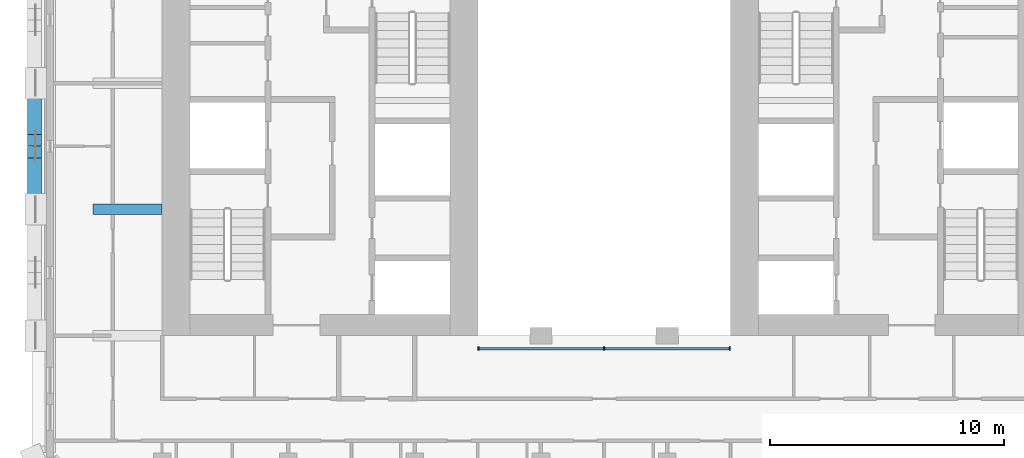
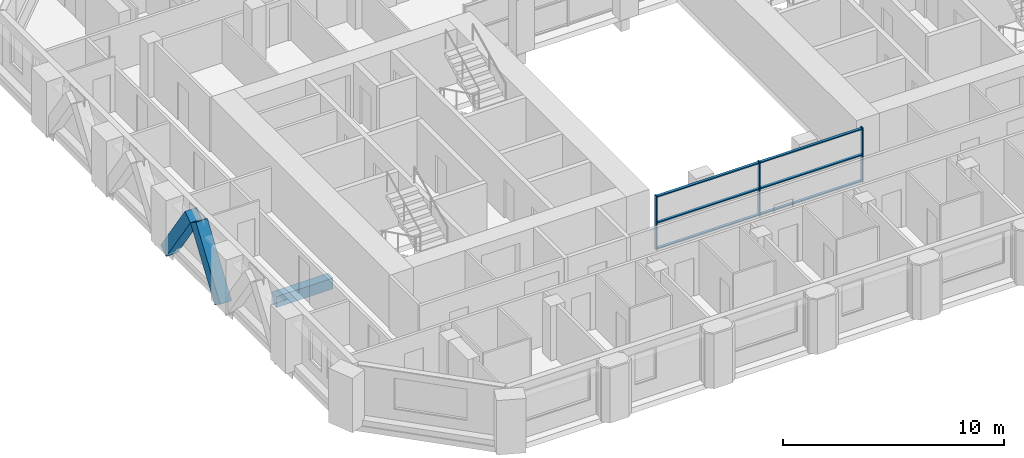
# One storey, part 2 of 15: 11 members, 1 beam, 1 element without a shape of its own.
"""IFC4 building model written with IfcOpenShell, lengths in metres."""

from ifc_helpers import new_model, si_unit, direction, frame, origin, origin_2d, place, context, subcontext, project, spatial, rectangle, extrude, material, material_profile, profile_set, type_object, element, aggregate, save


model = new_model("IFC4")

# Units and contexts
model_context = context("Model", 3, precision=1e-05, world=origin(), true_north=direction((0.0, 1.0)))
body_context = subcontext(model_context, "Body", "Model", "MODEL_VIEW")
ifc_project = project(units=[si_unit("LENGTHUNIT", "METRE"), si_unit("AREAUNIT", "SQUARE_METRE"), si_unit("VOLUMEUNIT", "CUBIC_METRE"), si_unit("PLANEANGLEUNIT", "RADIAN"), si_unit("MASSUNIT", "GRAM", prefix="KILO")], contexts=[model_context])

# Site, building, storey
site_placement = place(None, origin())
site = spatial("IfcSite", under=ifc_project, at=site_placement, CompositionType="ELEMENT")
building_placement = place(site_placement, origin())
building = spatial("IfcBuilding", under=site, at=building_placement, Name="Tabaq Tower and Sports Hall", CompositionType="ELEMENT")
storey_placement = place(building_placement, frame((0.0, 0.0, 207.10009765625)))
storey = spatial("IfcBuildingStorey", under=building, at=storey_placement, Name="L51", CompositionType="ELEMENT", Elevation=207.10009765625)

# Curtain wall, members
ifc_material_1 = material(Name="Aluminium alloy 6063-T6 framed glazing", Category="aluminium")
curtain_wall_type = type_object("IfcCurtainWallType", Name="CW1 curtain wall", PredefinedType="USERDEFINED", material=ifc_material_1)
curtain_wall_placement = place(storey_placement, origin())
curtain_wall = element("IfcCurtainWall", 1, at=curtain_wall_placement, inside=storey, type_object=curtain_wall_type, Name="Atrium glazing L51 S", ObjectType="ATRIUM ENCLOSURE", PredefinedType="USERDEFINED")
ifc_material_2 = material(Name="Aluminium alloy 6063-T6", Category="aluminium")
ifc_material_profile_1 = material_profile(ifc_material_2, rectangle(XDim=0.159912109375, YDim=0.06005859375, at=origin_2d()), Name="MULLION 160x60")
ifc_profile_set_1 = profile_set([ifc_material_profile_1], Name="Aluminium alloy 6063-T6")
member_type_1 = type_object("IfcMemberType", Name="CW1 mullion 160x60", PredefinedType="MULLION", material=ifc_profile_set_1)
member_1_placement = place(storey_placement, frame((18.929931640625, 15.64990234375, 0.0), z_axis=(0.0, 0.0, 1.0), x_axis=(0.0, 1.0, 0.0)))
member_1 = element("IfcMember", 2, at=member_1_placement, type_object=member_type_1, Name="CW1 mullion 1", PredefinedType="MULLION", context=body_context, shape_type="SweptSolid", body=[
    extrude(rectangle(XDim=0.159912109375, YDim=0.06005859375, at=origin_2d()), origin(), (0.0, 0.0, 1.0), 3.0),
])
member_2_placement = place(storey_placement, frame((24.300048828125, 15.64990234375, 0.0), z_axis=(0.0, 0.0, 1.0), x_axis=(0.0, 1.0, 0.0)))
member_2 = element("IfcMember", 3, at=member_2_placement, type_object=member_type_1, Name="CW1 mullion 2", PredefinedType="MULLION", context=body_context, shape_type="SweptSolid", body=[
    extrude(rectangle(XDim=0.159912109375, YDim=0.06005859375, at=origin_2d()), origin(), (0.0, 0.0, 1.0), 3.0),
])
member_3_placement = place(storey_placement, frame((29.669921875, 15.64990234375, 0.0), z_axis=(0.0, 0.0, 1.0), x_axis=(0.0, 1.0, 0.0)))
member_3 = element("IfcMember", 4, at=member_3_placement, type_object=member_type_1, Name="CW1 mullion 3", PredefinedType="MULLION", context=body_context, shape_type="SweptSolid", body=[
    extrude(rectangle(XDim=0.159912109375, YDim=0.06005859375, at=origin_2d()), origin(), (0.0, 0.0, 1.0), 3.0),
])
ifc_material_3 = material(Name="Aluminium alloy 6063-T6", Category="aluminium")
ifc_material_profile_2 = material_profile(ifc_material_3, rectangle(XDim=0.139892578125, YDim=0.06005859375, at=origin_2d()), Name="TRANSOM 140x60")
ifc_profile_set_2 = profile_set([ifc_material_profile_2], Name="Aluminium alloy 6063-T6")
member_type_2 = type_object("IfcMemberType", Name="CW1 transom 140x60", PredefinedType="USERDEFINED", material=ifc_profile_set_2)
member_4_placement = place(storey_placement, frame((18.9599609375, 15.64990234375, 0.06982421875), z_axis=(1.0, 0.0, 0.0), x_axis=(0.0, 1.0, 0.0)))
member_4 = element("IfcMember", 5, at=member_4_placement, type_object=member_type_2, Name="CW1 transom 1.1", ObjectType="TRANSOM", PredefinedType="USERDEFINED", context=body_context, shape_type="SweptSolid", body=[
    extrude(rectangle(XDim=0.139892578125, YDim=0.06005859375, at=origin_2d()), origin(), (0.0, 0.0, 1.0), 5.31005859375),
])
member_5_placement = place(storey_placement, frame((18.9599609375, 15.64990234375, 1.5), z_axis=(1.0, 0.0, 0.0), x_axis=(0.0, 1.0, 0.0)))
member_5 = element("IfcMember", 6, at=member_5_placement, type_object=member_type_2, Name="CW1 transom 1.2", ObjectType="TRANSOM", PredefinedType="USERDEFINED", context=body_context, shape_type="SweptSolid", body=[
    extrude(rectangle(XDim=0.139892578125, YDim=0.06005859375, at=origin_2d()), origin(), (0.0, 0.0, 1.0), 5.31005859375),
])
member_6_placement = place(storey_placement, frame((18.9599609375, 15.64990234375, 2.929931640625), z_axis=(1.0, 0.0, 0.0), x_axis=(0.0, 1.0, 0.0)))
member_6 = element("IfcMember", 7, at=member_6_placement, type_object=member_type_2, Name="CW1 transom 1.3", ObjectType="TRANSOM", PredefinedType="USERDEFINED", context=body_context, shape_type="SweptSolid", body=[
    extrude(rectangle(XDim=0.139892578125, YDim=0.06005859375, at=origin_2d()), origin(), (0.0, 0.0, 1.0), 5.31005859375),
])
member_7_placement = place(storey_placement, frame((24.330078125, 15.64990234375, 0.06982421875), z_axis=(1.0, 0.0, 0.0), x_axis=(0.0, 1.0, 0.0)))
member_7 = element("IfcMember", 8, at=member_7_placement, type_object=member_type_2, Name="CW1 transom 2.1", ObjectType="TRANSOM", PredefinedType="USERDEFINED", context=body_context, shape_type="SweptSolid", body=[
    extrude(rectangle(XDim=0.139892578125, YDim=0.06005859375, at=origin_2d()), origin(), (0.0, 0.0, 1.0), 5.309814453125),
])
member_8_placement = place(storey_placement, frame((24.330078125, 15.64990234375, 1.5), z_axis=(1.0, 0.0, 0.0), x_axis=(0.0, 1.0, 0.0)))
member_8 = element("IfcMember", 9, at=member_8_placement, type_object=member_type_2, Name="CW1 transom 2.2", ObjectType="TRANSOM", PredefinedType="USERDEFINED", context=body_context, shape_type="SweptSolid", body=[
    extrude(rectangle(XDim=0.139892578125, YDim=0.06005859375, at=origin_2d()), origin(), (0.0, 0.0, 1.0), 5.309814453125),
])
member_9_placement = place(storey_placement, frame((24.330078125, 15.64990234375, 2.929931640625), z_axis=(1.0, 0.0, 0.0), x_axis=(0.0, 1.0, 0.0)))
member_9 = element("IfcMember", 10, at=member_9_placement, type_object=member_type_2, Name="CW1 transom 2.3", ObjectType="TRANSOM", PredefinedType="USERDEFINED", context=body_context, shape_type="SweptSolid", body=[
    extrude(rectangle(XDim=0.139892578125, YDim=0.06005859375, at=origin_2d()), origin(), (0.0, 0.0, 1.0), 5.309814453125),
])
aggregate(curtain_wall, [member_1, member_2, member_3, member_4, member_5, member_6, member_7, member_8, member_9])

# Beam
ifc_material_4 = material(Name="Concrete C40/50", Category="concrete")
ifc_material_profile_3 = material_profile(ifc_material_4, rectangle(XDim=0.449951171875, YDim=0.60009765625, at=origin_2d()), Name="CB 450x600")
ifc_profile_set_3 = profile_set([ifc_material_profile_3], Name="Concrete C40/50")
beam_type = type_object("IfcBeamType", Name="PT CANTILEVER BEAM CB 450x600 C40/50", PredefinedType="BEAM", material=ifc_profile_set_3)
beam_placement = place(storey_placement, frame((2.449951171875, 21.60009765625, -0.60009765625), z_axis=(1.0, 0.0, 0.0), x_axis=(0.0, 1.0, 0.0)))
element("IfcBeam", 11, at=beam_placement, inside=storey, type_object=beam_type, Name="Cantilever Beam L51 W4 span 1", PredefinedType="BEAM", context=body_context, shape_type="SweptSolid", body=[
    extrude(rectangle(XDim=0.449951171875, YDim=0.60009765625, at=origin_2d()), origin(), (0.0, 0.0, 1.0), 2.949951171875),
])

# Members
ifc_material_5 = material(Name="Concrete C50/60", Category="concrete")
ifc_material_profile_4 = material_profile(ifc_material_5, rectangle(XDim=0.60009765625, YDim=0.60009765625, at=origin_2d()), Name="TRANSFER BAND BRACE 600x600")
ifc_profile_set_4 = profile_set([ifc_material_profile_4], Name="Concrete C50/60")
member_type_3 = type_object("IfcMemberType", Name="RC TRANSFER BAND BRACE 600x600 C50/60", PredefinedType="BRACE", material=ifc_profile_set_4)
for number, where, z_axis, x_axis, name in (
    (12, (-0.050048828125, 21.85009765625, -0.050048828125), (0.0, 0.56652615464, 0.824043758613), (-1.0, 0.0, 0.0), "Transfer Band Brace L51 West 11"),
    (13, (-0.050048828125, 26.75, -0.050048828125), (0.0, -0.56652615464, 0.824043758613), (1.0, 0.0, 0.0), "Transfer Band Brace L51 West 12"),
):
    element("IfcMember", number, at=place(storey_placement, frame(where, z_axis=z_axis, x_axis=x_axis)), inside=storey, type_object=member_type_3, Name=name, PredefinedType="BRACE", context=body_context, shape_type="SweptSolid", body=[
        extrude(rectangle(XDim=0.60009765625, YDim=0.60009765625, at=origin_2d()), origin(), (0.0, 0.0, 1.0), 3.88330078125),
    ])

save(model, "model.ifc")
